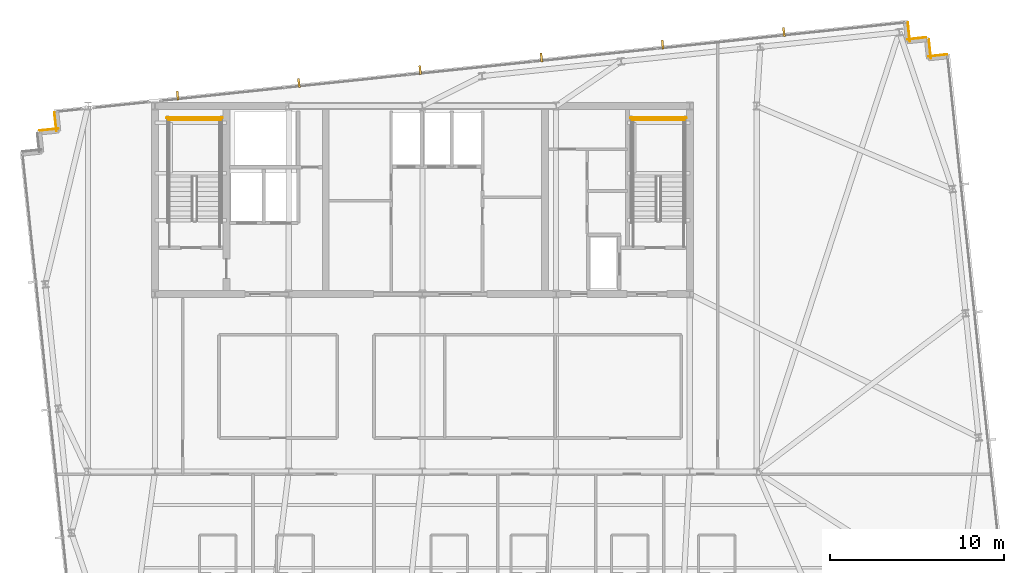
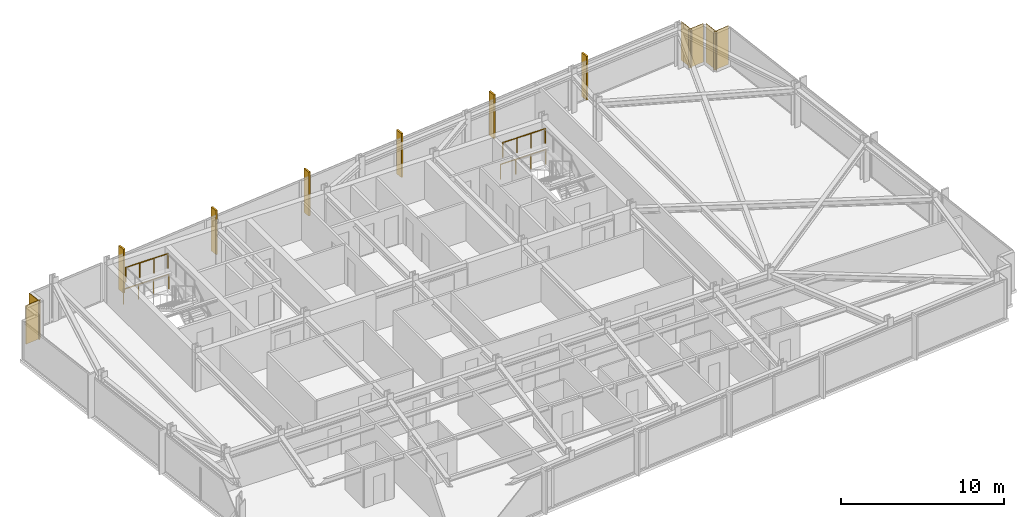
# One storey, part 33 of 33: 6 coverings, 6 shading devices, 4 railings.
"""IFC4 building model written with IfcOpenShell, lengths in metres."""

from ifc_helpers import new_model, si_unit, direction, frame, frame_2d, origin, origin_2d, place, context, subcontext, project, spatial, rectangle, circle, extrude, material, layer, layer_set, type_object, element, save


model = new_model("IFC4")

# Units and contexts
model_context = context("Model", 3, precision=1e-05, world=origin(), true_north=direction((0.0, 1.0)))
body_context = subcontext(model_context, "Body", "Model", "MODEL_VIEW")
ifc_project = project(units=[si_unit("LENGTHUNIT", "METRE"), si_unit("AREAUNIT", "SQUARE_METRE"), si_unit("VOLUMEUNIT", "CUBIC_METRE"), si_unit("PLANEANGLEUNIT", "RADIAN"), si_unit("MASSUNIT", "GRAM", prefix="KILO")], contexts=[model_context])

# Site, building, storey
site_placement = place(None, origin())
site = spatial("IfcSite", under=ifc_project, at=site_placement, CompositionType="ELEMENT")
building_placement = place(site_placement, origin())
building = spatial("IfcBuilding", under=site, at=building_placement, Name="Yelkora Congress Tower", CompositionType="ELEMENT")
storey_placement = place(building_placement, frame((0.0, 0.0, 244.10009765625)))
storey = spatial("IfcBuildingStorey", under=building, at=storey_placement, Name="L68", CompositionType="ELEMENT", Elevation=244.10009765625)

# Coverings
ifc_material_1 = material(Name="Anatolian bush-hammered limestone", Category="masonry")
ifc_layer_1 = layer(ifc_material_1, 0.0400390625)
ifc_layer_set_1 = layer_set([ifc_layer_1], Name="Anatolian bush-hammered limestone")
covering_type = type_object("IfcCoveringType", Name="COV-CLAD-SPANDREL-40", PredefinedType="CLADDING", material=ifc_layer_set_1)
for number, where, z_axis, x_axis, name in (
    (1, (16.406005859375, 44.7880859375, 0.0), (0.0, 0.0, 1.0), (0.994544300928, 0.104315068386, 0.0), "L68 Anatolian Limestone Cladding EW-L68-SR08"),
    (2, (17.379638671875, 44.75439453125, 0.0), (0.0, 0.0, 1.0), (-0.104534592565, 0.994521251134, 0.0), "L68 Anatolian Limestone Cladding EW-L68-SR09"),
    (3, (66.284912109375, 51.000732421875, 0.0), (0.0, 0.0, 1.0), (0.104534592565, -0.994521251134, 0.0), "L68 Anatolian Limestone Cladding EW-L68-SR11"),
):
    element("IfcCovering", number, at=place(storey_placement, frame(where, z_axis=z_axis, x_axis=x_axis)), inside=storey, type_object=covering_type, Name=name, PredefinedType="CLADDING", context=body_context, shape_type="SweptSolid", body=[
        extrude(rectangle(XDim=1.10009765625, YDim=0.0400390625, at=frame_2d((0.550048828125, 0.0))), origin(), (0.0, 0.0, 1.0), 2.8798828125),
    ])
covering_placement = place(storey_placement, frame((66.25146484375, 50.02685546875, 0.0), z_axis=(0.0, 0.0, 1.0), x_axis=(0.994518825066, 0.104557671117, 0.0)))
element("IfcCovering", 4, at=covering_placement, inside=storey, type_object=covering_type, Name="L68 Anatolian Limestone Cladding EW-L68-SR12", PredefinedType="CLADDING", context=body_context, shape_type="SweptSolid", body=[
    extrude(rectangle(XDim=1.099853515625, YDim=0.0400390625, at=frame_2d((0.5498046875, 0.0))), origin(), (0.0, 0.0, 1.0), 2.8798828125),
])
for number, where, z_axis, x_axis, name in (
    (5, (67.49365234375, 50.021728515625, 0.0), (0.0, 0.0, 1.0), (0.104534592565, -0.994521251134, 0.0), "L68 Anatolian Limestone Cladding EW-L68-SR13"),
    (6, (67.460205078125, 49.0478515625, 0.0), (0.0, 0.0, 1.0), (0.994521251134, 0.104534592565, 0.0), "L68 Anatolian Limestone Cladding EW-L68-SR14"),
):
    element("IfcCovering", number, at=place(storey_placement, frame(where, z_axis=z_axis, x_axis=x_axis)), inside=storey, type_object=covering_type, Name=name, PredefinedType="CLADDING", context=body_context, shape_type="SweptSolid", body=[
        extrude(rectangle(XDim=1.10009765625, YDim=0.0400390625, at=frame_2d((0.550048828125, 0.0))), origin(), (0.0, 0.0, 1.0), 2.8798828125),
    ])

# Railings
ifc_material_2 = material(Name="Painted galvanised steel stair well guard with vertical infill", Category="steel")
ifc_layer_2 = layer(ifc_material_2, 0.06005859375)
ifc_layer_set_2 = layer_set([ifc_layer_2], Name="Painted galvanised steel stair well guard with vertical infill")
railing_type = type_object("IfcRailingType", Name="RAIL-STAIR-GUARD-1120", PredefinedType="GUARDRAIL", material=ifc_layer_set_2)
railing_1_placement = place(storey_placement, frame((26.820068359375, 45.419921875, 1.64990234375)))
element("IfcRailing", 7, at=railing_1_placement, inside=storey, type_object=railing_type, Name="ST-01 L68 Stair Well Guardrail 5", PredefinedType="GUARDRAIL", context=body_context, shape_type="SweptSolid", body=[
    extrude(circle(Radius=0.02392578125, at=origin_2d()), frame((0.0, 0.0, 1.09619140625), z_axis=(-1.0, 0.0, 0.0), x_axis=(0.0, -1.0, 0.0)), (0.0, 0.0, 1.0), 3.0),
    extrude(circle(Radius=0.02099609375, at=origin_2d()), origin(), (0.0, 0.0, 1.0), 1.072021484375),
    extrude(circle(Radius=0.02099609375, at=origin_2d()), frame((-1.0, 0.0, 0.0)), (0.0, 0.0, 1.0), 1.072021484375),
    extrude(circle(Radius=0.02099609375, at=origin_2d()), frame((-2.0, 0.0, 0.0)), (0.0, 0.0, 1.0), 1.072021484375),
    extrude(circle(Radius=0.02099609375, at=origin_2d()), frame((-3.0, 0.0, 0.0)), (0.0, 0.0, 1.0), 1.072021484375),
])
railing_2_placement = place(storey_placement, frame((26.919921875, 45.52001953125, 0.0)))
element("IfcRailing", 8, at=railing_2_placement, inside=storey, type_object=railing_type, Name="ST-01 L68 Stair Well Guardrail 12", PredefinedType="GUARDRAIL", context=body_context, shape_type="SweptSolid", body=[
    extrude(circle(Radius=0.02392578125, at=origin_2d()), frame((0.0, 0.0, 1.09619140625), z_axis=(-1.0, 0.0, 0.0), x_axis=(0.0, -1.0, 0.0)), (0.0, 0.0, 1.0), 3.199951171875),
    extrude(circle(Radius=0.02099609375, at=origin_2d()), origin(), (0.0, 0.0, 1.0), 1.072021484375),
    extrude(circle(Radius=0.02099609375, at=origin_2d()), frame((-1.066650390625, 0.0, 0.0)), (0.0, 0.0, 1.0), 1.072021484375),
    extrude(circle(Radius=0.02099609375, at=origin_2d()), frame((-2.13330078125, 0.0, 0.0)), (0.0, 0.0, 1.0), 1.072021484375),
    extrude(circle(Radius=0.02099609375, at=origin_2d()), frame((-3.199951171875, 0.0, 0.0)), (0.0, 0.0, 1.0), 1.072021484375),
])
railing_3_placement = place(storey_placement, frame((53.4599609375, 45.419921875, 1.64990234375)))
element("IfcRailing", 9, at=railing_3_placement, inside=storey, type_object=railing_type, Name="ST-02 L68 Stair Well Guardrail 5", PredefinedType="GUARDRAIL", context=body_context, shape_type="SweptSolid", body=[
    extrude(circle(Radius=0.02392578125, at=origin_2d()), frame((0.0, 0.0, 1.09619140625), z_axis=(-1.0, 0.0, 0.0), x_axis=(0.0, -1.0, 0.0)), (0.0, 0.0, 1.0), 3.0),
    extrude(circle(Radius=0.02099609375, at=origin_2d()), origin(), (0.0, 0.0, 1.0), 1.072021484375),
    extrude(circle(Radius=0.02099609375, at=origin_2d()), frame((-1.0, 0.0, 0.0)), (0.0, 0.0, 1.0), 1.072021484375),
    extrude(circle(Radius=0.02099609375, at=origin_2d()), frame((-2.0, 0.0, 0.0)), (0.0, 0.0, 1.0), 1.072021484375),
    extrude(circle(Radius=0.02099609375, at=origin_2d()), frame((-3.0, 0.0, 0.0)), (0.0, 0.0, 1.0), 1.072021484375),
])
railing_4_placement = place(storey_placement, frame((53.56005859375, 45.52001953125, 0.0)))
element("IfcRailing", 10, at=railing_4_placement, inside=storey, type_object=railing_type, Name="ST-02 L68 Stair Well Guardrail 12", PredefinedType="GUARDRAIL", context=body_context, shape_type="SweptSolid", body=[
    extrude(circle(Radius=0.02392578125, at=origin_2d()), frame((0.0, 0.0, 1.09619140625), z_axis=(-1.0, 0.0, 0.0), x_axis=(0.0, -1.0, 0.0)), (0.0, 0.0, 1.0), 3.199951171875),
    extrude(circle(Radius=0.02099609375, at=origin_2d()), origin(), (0.0, 0.0, 1.0), 1.072021484375),
    extrude(circle(Radius=0.02099609375, at=origin_2d()), frame((-1.066650390625, 0.0, 0.0)), (0.0, 0.0, 1.0), 1.072021484375),
    extrude(circle(Radius=0.02099609375, at=origin_2d()), frame((-2.13330078125, 0.0, 0.0)), (0.0, 0.0, 1.0), 1.072021484375),
    extrude(circle(Radius=0.02099609375, at=origin_2d()), frame((-3.199951171875, 0.0, 0.0)), (0.0, 0.0, 1.0), 1.072021484375),
])

# Shading devices
ifc_material_3 = material(Name="Champagne anodised aluminium", Category="aluminium")
ifc_layer_3 = layer(ifc_material_3, 3.300048828125)
ifc_layer_set_3 = layer_set([ifc_layer_3], Name="Champagne anodised aluminium")
shading_device_type = type_object("IfcShadingDeviceType", Name="SHD-FIN-ALU-520", PredefinedType="USERDEFINED", material=ifc_layer_set_3)
for number, where, z_axis, x_axis, name in (
    (11, (24.342529296875, 46.79345703125, -0.0302734375), (0.0, 0.0, 1.0), (0.994521895368, 0.104528463268, 0.0), "L68 Vertical Anodised Solar Fin 10-1"),
    (12, (31.30712890625, 47.525390625, -0.0302734375), (0.0, 0.0, 1.0), (0.994521895368, 0.104528463268, 0.0), "L68 Vertical Anodised Solar Fin 10-2"),
    (13, (38.271484375, 48.257568359375, -0.0302734375), (0.0, 0.0, 1.0), (0.994521895368, 0.104528463268, 0.0), "L68 Vertical Anodised Solar Fin 10-3"),
    (14, (45.236083984375, 48.989501953125, -0.0302734375), (0.0, 0.0, 1.0), (0.994521895368, 0.104528463268, 0.0), "L68 Vertical Anodised Solar Fin 10-4"),
    (15, (52.20068359375, 49.721435546875, -0.0302734375), (0.0, 0.0, 1.0), (0.994521895368, 0.104528463268, 0.0), "L68 Vertical Anodised Solar Fin 10-5"),
    (16, (59.1650390625, 50.45361328125, -0.0302734375), (0.0, 0.0, 1.0), (0.994521895368, 0.104528463268, 0.0), "L68 Vertical Anodised Solar Fin 10-6"),
):
    element("IfcShadingDevice", number, at=place(storey_placement, frame(where, z_axis=z_axis, x_axis=x_axis)), inside=storey, type_object=shading_device_type, Name=name, ObjectType="FIN", PredefinedType="USERDEFINED", context=body_context, shape_type="SweptSolid", body=[
        extrude(rectangle(XDim=0.1201171875, YDim=0.52001953125, at=origin_2d()), origin(), (0.0, 0.0, 1.0), 3.280029296875),
    ])

save(model, "model.ifc")
